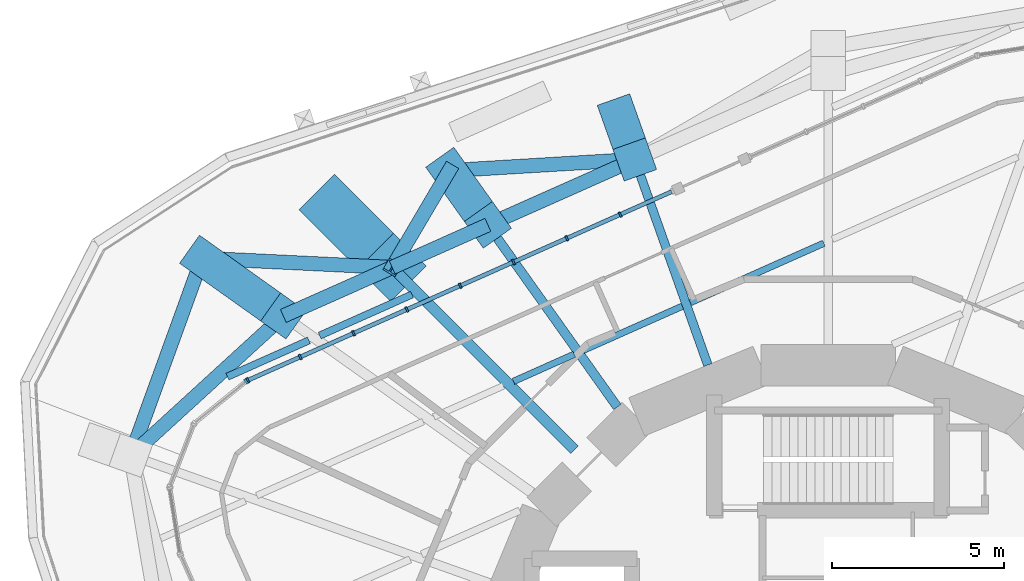
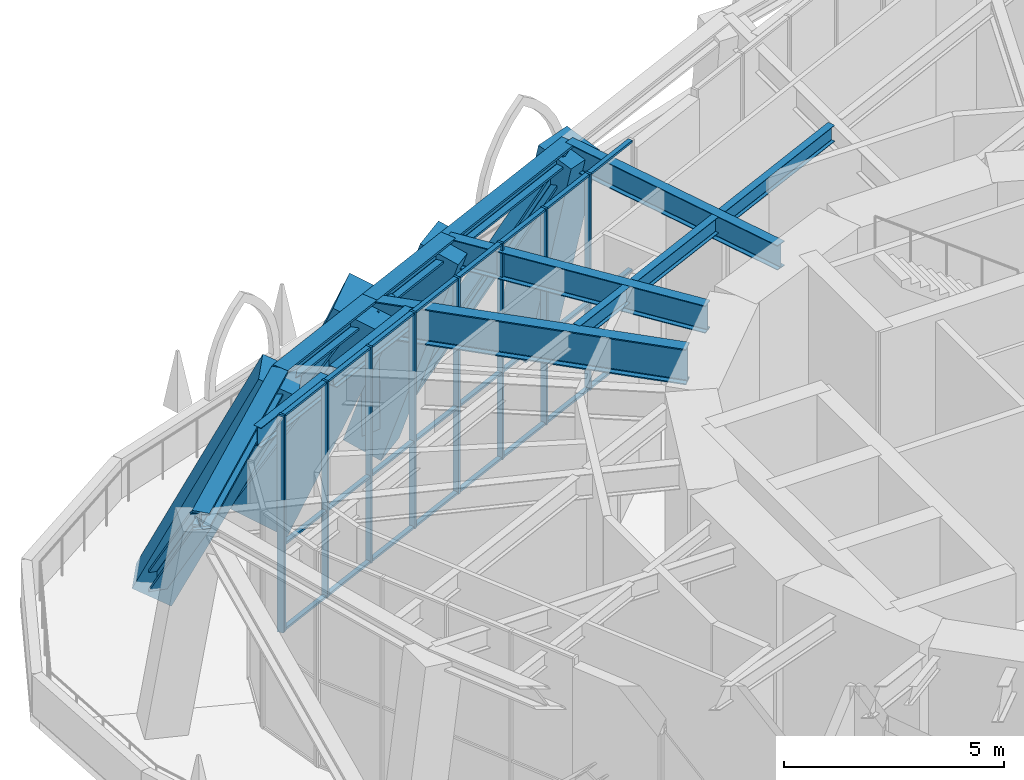
# One storey, part 7 of 18: 45 members, 8 beams, 2 elements without a shape of their own.
"""IFC4 building model written with IfcOpenShell, lengths in metres."""

import ifcopenshell
import ifcopenshell.guid

model = None  # the IFC model being written
_history = None  # IfcOwnerHistory: only IFC2X3 demands one
_inside = {}  # id of a spatial element -> (the spatial element, [elements in it])
_under = {}  # id of a project, library or spatial element -> (it, [spatial elements below it])
_declared = {}  # id of a project -> (the project, [libraries it declares])
_typed = {}  # id of a type object -> (the type object, [elements of that type])
_made_of = {}  # id of a material, layer set ... -> (it, [elements and type objects made of it])


def new_model(schema):
    """Start an empty IFC model of exactly this schema.

    Asked for "IFC4X3", IfcOpenShell would pick the latest addendum, in which some entities
    have other attributes; the version numbers below select the first issue.
    IFC2X3 requires an IfcOwnerHistory on every rooted entity: one is made here for all.
    """
    global model, _history
    if schema == "IFC4X3":
        model = ifcopenshell.file(schema_version=(4, 3, 0, 0))
    else:
        model = ifcopenshell.file(schema=schema)
    _inside.clear()
    _under.clear()
    _declared.clear()
    _typed.clear()
    _made_of.clear()
    _history = None
    if model.schema == "IFC2X3":
        org = make("IfcOrganization", Name="unknown")
        user = make(
            "IfcPersonAndOrganization",
            ThePerson=make("IfcPerson", FamilyName="unknown"),
            TheOrganization=org,
        )
        app = make(
            "IfcApplication",
            ApplicationDeveloper=org,
            Version="unknown",
            ApplicationFullName="unknown",
            ApplicationIdentifier="unknown",
        )
        _history = make(
            "IfcOwnerHistory",
            OwningUser=user,
            OwningApplication=app,
            ChangeAction="ADDED",
            CreationDate=0,
        )
    return model


def make(cls, **values):
    """One entity of the class cls with the attributes given. An attribute that is None is left unset."""
    return model.create_entity(
        cls, **{name: value for name, value in values.items() if value is not None}
    )


def rooted(cls, **values):
    """An entity with a GlobalId (a new one), such as an element, a storey or a relation."""
    return make(cls, GlobalId=ifcopenshell.guid.new(), OwnerHistory=_history, **values)


def si_unit(unit_type, name, prefix=None):
    """IfcSIUnit, for example si_unit("LENGTHUNIT", "METRE", prefix="MILLI")."""
    return make("IfcSIUnit", UnitType=unit_type, Prefix=prefix, Name=name)


def assignment(units):
    """IfcUnitAssignment: the units of a project."""
    return None if units is None else make("IfcUnitAssignment", Units=units)


def point(xyz):
    """IfcCartesianPoint."""
    return None if xyz is None else make("IfcCartesianPoint", Coordinates=xyz)


def direction(xyz):
    """IfcDirection."""
    return None if xyz is None else make("IfcDirection", DirectionRatios=xyz)


def frame(location, z_axis=None, x_axis=None):
    """IfcAxis2Placement3D, a coordinate frame: its origin and axes. An axis left out is left unset."""
    return make(
        "IfcAxis2Placement3D",
        Location=point(location),
        Axis=direction(z_axis),
        RefDirection=direction(x_axis),
    )


def frame_2d(location, x_axis=None):
    """IfcAxis2Placement2D, a coordinate frame in the plane: its origin and x axis."""
    return make(
        "IfcAxis2Placement2D", Location=point(location), RefDirection=direction(x_axis)
    )


def origin():
    """The frame at (0, 0, 0) with its axes left unset."""
    return frame((0.0, 0.0, 0.0))


def origin_2d():
    """The frame at (0, 0) in the plane with its x axis left unset."""
    return frame_2d((0.0, 0.0))


def place(relative_to, where):
    """IfcLocalPlacement: puts the frame where relative to a parent placement (None: the world)."""
    return make(
        "IfcLocalPlacement", PlacementRelTo=relative_to, RelativePlacement=where
    )


def context(
    kind, dimensions, precision=None, world=None, true_north=None, identifier=None
):
    """IfcGeometricRepresentationContext, for example the 3D "Model" context."""
    return make(
        "IfcGeometricRepresentationContext",
        ContextIdentifier=identifier,
        ContextType=kind,
        CoordinateSpaceDimension=dimensions,
        Precision=precision,
        WorldCoordinateSystem=world,
        TrueNorth=true_north,
    )


def subcontext(parent, identifier, kind, view, scale=None):
    """IfcGeometricRepresentationSubContext, for example "Body" below "Model"."""
    return make(
        "IfcGeometricRepresentationSubContext",
        ContextIdentifier=identifier,
        ContextType=kind,
        ParentContext=parent,
        TargetScale=scale,
        TargetView=view,
    )


def project(units=None, contexts=None):
    """IfcProject with its units and contexts."""
    return rooted(
        "IfcProject",
        Name="project",
        RepresentationContexts=contexts,
        UnitsInContext=assignment(units),
    )


def spatial(cls, under=None, at=None, **own):
    """A site, building, storey or space (cls), placed at a placement, below another one or the project."""
    s = rooted(cls, ObjectPlacement=at, **own)
    if under is not None:
        _under.setdefault(under.id(), (under, []))[1].append(s)
    return s


def profile(cls, at=None, kind="AREA", **sizes):
    """A parametric profile (cls). Its sizes go by their IFC names, for example OverallWidth=200.0."""
    return make(cls, ProfileType=kind, Position=at, **sizes)


def rectangle(**sizes):
    """IfcRectangleProfileDef."""
    return profile("IfcRectangleProfileDef", **sizes)


def i_section(**sizes):
    """IfcIShapeProfileDef."""
    return profile("IfcIShapeProfileDef", **sizes)


def extrude(swept, where, along, depth):
    """IfcExtrudedAreaSolid: the profile swept, set in the frame where, extruded along a direction by depth."""
    return make(
        "IfcExtrudedAreaSolid",
        SweptArea=swept,
        Position=where,
        ExtrudedDirection=direction(along),
        Depth=depth,
    )


def shape(context_of_items, identifier, shape_type, items):
    """IfcShapeRepresentation: the items that make up one representation, for example the "Body"."""
    return make(
        "IfcShapeRepresentation",
        ContextOfItems=context_of_items,
        RepresentationIdentifier=identifier,
        RepresentationType=shape_type,
        Items=items,
    )


def material(Name=None, Category=None):
    """IfcMaterial."""
    return make("IfcMaterial", Name=Name, Category=Category)


def material_profile(
    of_material, cross_section, Name=None, Category=None, Priority=None
):
    """IfcMaterialProfile: a cross section and its material."""
    return make(
        "IfcMaterialProfile",
        Name=Name,
        Material=of_material,
        Profile=cross_section,
        Priority=Priority,
        Category=Category,
    )


def profile_set(profiles, Name=None, composite=None):
    """IfcMaterialProfileSet."""
    return make(
        "IfcMaterialProfileSet",
        Name=Name,
        MaterialProfiles=profiles,
        CompositeProfile=composite,
    )


def made_of(thing, what):
    """Note that an element or type object is made of a material, layer set ...; save() writes the relation."""
    if what is not None:
        _made_of.setdefault(what.id(), (what, []))[1].append(thing)
    return thing


def type_object(cls, material=None, **own):
    """A type object (cls), such as IfcWallType, which elements share."""
    return made_of(rooted(cls, **own), material)


def element(
    cls,
    number,
    at=None,
    inside=None,
    cuts=None,
    type_object=None,
    material=None,
    context=None,
    identifier="Body",
    shape_type=None,
    held_by="IfcProductDefinitionShape",
    body=None,
    shapes=None,
    **own,
):
    """One element of the class cls, such as IfcWall. Its Tag is "e" and its number.

    at: its placement. inside: the storey or other place that contains it. cuts: it is an
    opening in that element (IfcRelVoidsElement). A single representation is given by context,
    identifier, shape_type and body (its items); several are given by shapes. held_by: the class
    of the entity that holds the representations. save() writes the other relations.
    """
    e = rooted(cls, Tag="e%d" % number, ObjectPlacement=at, **own)
    if body is not None:
        shapes = [shape(context, identifier, shape_type, body)]
    if shapes is not None:
        e.Representation = make(held_by, Representations=shapes)
    if inside is not None:
        _inside.setdefault(inside.id(), (inside, []))[1].append(e)
    if cuts is not None:
        rooted(
            "IfcRelVoidsElement", RelatingBuildingElement=cuts, RelatedOpeningElement=e
        )
    if type_object is not None:
        _typed.setdefault(type_object.id(), (type_object, []))[1].append(e)
    return made_of(e, material)


def aggregate(whole, parts):
    """IfcRelAggregates: a whole, such as a stair, and the parts it consists of."""
    return rooted("IfcRelAggregates", RelatingObject=whole, RelatedObjects=parts)


def save(model, path):
    """Write the relations noted so far, then the file.

    IfcRelAggregates (storeys below a building ...), IfcRelContainedInSpatialStructure (elements
    in a storey), IfcRelDefinesByType, IfcRelAssociatesMaterial and IfcRelDeclares: one each for
    every whole, place, type object, material and project.
    """
    for whole, parts in _under.values():
        aggregate(whole, parts)
    for where, things in _inside.values():
        rooted(
            "IfcRelContainedInSpatialStructure",
            RelatedElements=things,
            RelatingStructure=where,
        )
    for kind, things in _typed.values():
        rooted("IfcRelDefinesByType", RelatedObjects=things, RelatingType=kind)
    for what, things in _made_of.values():
        rooted("IfcRelAssociatesMaterial", RelatedObjects=things, RelatingMaterial=what)
    for by, libraries in _declared.values():
        rooted("IfcRelDeclares", RelatingContext=by, RelatedDefinitions=libraries)
    model.write(path)


model = new_model("IFC4")

# Units and contexts
model_context = context("Model", 3, precision=1e-05, world=origin(), true_north=direction((0.0, 1.0)))
body_context = subcontext(model_context, "Body", "Model", "MODEL_VIEW")
ifc_project = project(units=[si_unit("LENGTHUNIT", "METRE"), si_unit("AREAUNIT", "SQUARE_METRE"), si_unit("VOLUMEUNIT", "CUBIC_METRE"), si_unit("PLANEANGLEUNIT", "RADIAN"), si_unit("MASSUNIT", "GRAM", prefix="KILO")], contexts=[model_context])

# Site, building, storey
site_placement = place(None, origin())
site = spatial("IfcSite", under=ifc_project, at=site_placement, CompositionType="ELEMENT")
building_placement = place(site_placement, origin())
building = spatial("IfcBuilding", under=site, at=building_placement, Name="Nakasero Lantern House", CompositionType="ELEMENT")
storey_placement = place(building_placement, frame((0.0, 0.0, 176.449951171875)))
storey = spatial("IfcBuildingStorey", under=building, at=storey_placement, Name="L43", CompositionType="ELEMENT", Elevation=176.449951171875)

# Members
ifc_material_1 = material(Name="Steel S355", Category="steel")
ifc_material_profile_1 = material_profile(ifc_material_1, i_section(OverallWidth=0.412109375, OverallDepth=0.4365234375, WebThickness=0.035888671875, FlangeThickness=0.05810546875, FilletRadius=0.01513671875, at=origin_2d()), Name="UC 356x406x467")
ifc_profile_set_1 = profile_set([ifc_material_profile_1], Name="Steel S355")
member_type_1 = type_object("IfcMemberType", Name="Belt truss chord UC 356x406x467", PredefinedType="CHORD", material=ifc_profile_set_1)
member_1_placement = place(storey_placement, frame((-5.611328125, 15.781982421875, 5.581787109375), z_axis=(-0.913561058639, -0.406701600856, 0.0), x_axis=(0.406701600856, -0.913561058639, 0.0)))
element("IfcMember", 1, at=member_1_placement, inside=storey, type_object=member_type_1, Name="Belt truss top chord T4 B5-C10T", PredefinedType="CHORD", context=body_context, shape_type="SweptSolid", body=[
    extrude(i_section(OverallWidth=0.412109375, OverallDepth=0.4365234375, WebThickness=0.035888671875, FlangeThickness=0.05810546875, FilletRadius=0.01513671875, at=origin_2d()), origin(), (0.0, 0.0, 1.0), 4.66552734375),
])
member_2_placement = place(storey_placement, frame((-9.87353515625, 13.884521484375, 5.581787109375), z_axis=(-0.913556197925, -0.40671251915, 0.0), x_axis=(0.40671251915, -0.913556197925, 0.0)))
element("IfcMember", 2, at=member_2_placement, inside=storey, type_object=member_type_1, Name="Belt truss top chord T4 B5-C11T", PredefinedType="CHORD", context=body_context, shape_type="SweptSolid", body=[
    extrude(i_section(OverallWidth=0.412109375, OverallDepth=0.4365234375, WebThickness=0.035888671875, FlangeThickness=0.05810546875, FilletRadius=0.01513671875, at=origin_2d()), origin(), (0.0, 0.0, 1.0), 3.0380859375),
])
member_3_placement = place(storey_placement, frame((-12.64892578125, 12.64892578125, 5.581787109375), z_axis=(-0.913534832457, -0.406760506795, 0.0), x_axis=(0.406760506795, -0.913534832457, 0.0)))
element("IfcMember", 3, at=member_3_placement, inside=storey, type_object=member_type_1, Name="Belt truss top chord T4 B5-C12T", PredefinedType="CHORD", context=body_context, shape_type="SweptSolid", body=[
    extrude(i_section(OverallWidth=0.412109375, OverallDepth=0.4365234375, WebThickness=0.035888671875, FlangeThickness=0.05810546875, FilletRadius=0.01513671875, at=origin_2d()), origin(), (0.0, 0.0, 1.0), 3.458984375),
])
member_4_placement = place(storey_placement, frame((-15.808837890625, 11.241943359375, 5.581787109375), z_axis=(-0.73802707447, -0.674771099966, 0.0), x_axis=(0.674771099966, -0.73802707447, 0.0)))
element("IfcMember", 4, at=member_4_placement, inside=storey, type_object=member_type_1, Name="Belt truss top chord T4 B5-C13T", PredefinedType="CHORD", context=body_context, shape_type="SweptSolid", body=[
    extrude(i_section(OverallWidth=0.412109375, OverallDepth=0.4365234375, WebThickness=0.035888671875, FlangeThickness=0.05810546875, FilletRadius=0.01513671875, at=origin_2d()), origin(), (0.0, 0.0, 1.0), 5.997802734375),
])
ifc_material_2 = material(Name="Steel S355", Category="steel")
ifc_material_profile_2 = material_profile(ifc_material_2, i_section(OverallWidth=0.412109375, OverallDepth=0.4365234375, WebThickness=0.035888671875, FlangeThickness=0.05810546875, FilletRadius=0.01513671875, at=origin_2d()), Name="UC 356x406x467")
ifc_profile_set_2 = profile_set([ifc_material_profile_2], Name="Steel S355")
member_type_2 = type_object("IfcMemberType", Name="Belt truss diagonal UC 356x406x467", PredefinedType="BRACE", material=ifc_profile_set_2)
member_5_placement = place(storey_placement, frame((-5.611328125, 15.781982421875, 5.581787109375), z_axis=(-0.66720161227, -0.039980645489, -0.743803439472), x_axis=(0.059815589761, -0.998209444566, 0.0)))
element("IfcMember", 5, at=member_5_placement, inside=storey, type_object=member_type_2, Name="Belt truss diagonal T4-10", PredefinedType="BRACE", context=body_context, shape_type="SweptSolid", body=[
    extrude(i_section(OverallWidth=0.412109375, OverallDepth=0.4365234375, WebThickness=0.035888671875, FlangeThickness=0.05810546875, FilletRadius=0.01513671875, at=origin_2d()), origin(), (0.0, 0.0, 1.0), 8.066650390625),
])
member_6_placement = place(storey_placement, frame((-10.993408203125, 15.45947265625, -0.418212890625), z_axis=(-0.242412457526, -0.411539921993, 0.878561946047), x_axis=(0.861631982797, -0.507533571521, 0.0)))
element("IfcMember", 6, at=member_6_placement, inside=storey, type_object=member_type_2, Name="Belt truss diagonal T4-11", PredefinedType="BRACE", context=body_context, shape_type="SweptSolid", body=[
    extrude(i_section(OverallWidth=0.412109375, OverallDepth=0.4365234375, WebThickness=0.035888671875, FlangeThickness=0.05810546875, FilletRadius=0.01513671875, at=origin_2d()), origin(), (0.0, 0.0, 1.0), 6.829345703125),
])
member_7_placement = place(storey_placement, frame((-12.64892578125, 12.64892578125, 5.581787109375), z_axis=(-0.676305146581, 0.032758249817, -0.735892822208), x_axis=(-0.048380364344, -0.998828984534, 0.0)))
element("IfcMember", 7, at=member_7_placement, inside=storey, type_object=member_type_2, Name="Belt truss diagonal T4-12", PredefinedType="BRACE", context=body_context, shape_type="SweptSolid", body=[
    extrude(i_section(OverallWidth=0.412109375, OverallDepth=0.4365234375, WebThickness=0.035888671875, FlangeThickness=0.05810546875, FilletRadius=0.01513671875, at=origin_2d()), origin(), (0.0, 0.0, 1.0), 8.1533203125),
])
member_8_placement = place(storey_placement, frame((-18.1630859375, 12.916015625, -0.418212890625), z_axis=(-0.242496640915, -0.669494142696, 0.702120340142), x_axis=(0.940223769819, -0.340557282505, 0.0)))
element("IfcMember", 8, at=member_8_placement, inside=storey, type_object=member_type_2, Name="Belt truss diagonal T4-13", PredefinedType="BRACE", context=body_context, shape_type="SweptSolid", body=[
    extrude(i_section(OverallWidth=0.412109375, OverallDepth=0.4365234375, WebThickness=0.035888671875, FlangeThickness=0.05810546875, FilletRadius=0.01513671875, at=origin_2d()), origin(), (0.0, 0.0, 1.0), 8.545654296875),
])

# Beams
ifc_material_3 = material(Name="Steel S355", Category="steel")
ifc_material_profile_3 = material_profile(ifc_material_3, i_section(OverallWidth=0.18994140625, OverallDepth=0.453369140625, WebThickness=0.008544921875, FlangeThickness=0.0126953125, FilletRadius=0.01025390625, at=origin_2d()), Name="UB 457x191x67")
ifc_profile_set_3 = profile_set([ifc_material_profile_3], Name="Steel S355")
beam_type_1 = type_object("IfcBeamType", Name="Infill beam UB 457x191x67", PredefinedType="JOIST", material=ifc_profile_set_3)
beam_1_placement = place(storey_placement, frame((-9.131591796875, 9.34375, 5.5732421875), z_axis=(0.913571666005, 0.406677773026, 0.0), x_axis=(-0.406677773026, 0.913571666005, 0.0)))
element("IfcBeam", 9, at=beam_1_placement, inside=storey, type_object=beam_type_1, Name="Infill beam L44 11.4", PredefinedType="JOIST", context=body_context, shape_type="SweptSolid", body=[
    extrude(i_section(OverallWidth=0.18994140625, OverallDepth=0.453369140625, WebThickness=0.008544921875, FlangeThickness=0.0126953125, FilletRadius=0.01025390625, at=origin_2d()), origin(), (0.0, 0.0, 1.0), 1.931884765625),
])
beam_2_placement = place(storey_placement, frame((-7.1181640625, 10.239990234375, 5.5732421875), z_axis=(0.913534058062, 0.406762245988, 0.0), x_axis=(-0.406762245988, 0.913534058062, 0.0)))
element("IfcBeam", 10, at=beam_2_placement, inside=storey, type_object=beam_type_1, Name="Infill beam L44 11.5", PredefinedType="JOIST", context=body_context, shape_type="SweptSolid", body=[
    extrude(i_section(OverallWidth=0.18994140625, OverallDepth=0.453369140625, WebThickness=0.008544921875, FlangeThickness=0.0126953125, FilletRadius=0.01025390625, at=origin_2d()), origin(), (0.0, 0.0, 1.0), 3.158935546875),
])
beam_3_placement = place(storey_placement, frame((-4.0, 11.62841796875, 5.5732421875), z_axis=(0.913547765637, 0.406731459196, 0.0), x_axis=(-0.406731459196, 0.913547765637, 0.0)))
element("IfcBeam", 11, at=beam_3_placement, inside=storey, type_object=beam_type_1, Name="Infill beam L44 11.6", PredefinedType="JOIST", context=body_context, shape_type="SweptSolid", body=[
    extrude(i_section(OverallWidth=0.18994140625, OverallDepth=0.453369140625, WebThickness=0.008544921875, FlangeThickness=0.0126953125, FilletRadius=0.01025390625, at=origin_2d()), origin(), (0.0, 0.0, 1.0), 4.239501953125),
])
ifc_material_4 = material(Name="Steel S355", Category="steel")
ifc_material_profile_4 = material_profile(ifc_material_4, i_section(OverallWidth=0.2099609375, OverallDepth=0.53662109375, WebThickness=0.0107421875, FlangeThickness=0.017333984375, FilletRadius=0.0126953125, at=origin_2d()), Name="UB 533x210x101")
ifc_profile_set_4 = profile_set([ifc_material_profile_4], Name="Steel S355")
beam_type_2 = type_object("IfcBeamType", Name="Infill beam UB 533x210x101", PredefinedType="JOIST", material=ifc_profile_set_4)
beam_4_placement = place(storey_placement, frame((-17.4306640625, 9.47998046875, 5.53173828125), z_axis=(0.913570367557, 0.406680689881, 0.0), x_axis=(-0.406680689881, 0.913570367557, 0.0)))
element("IfcBeam", 12, at=beam_4_placement, inside=storey, type_object=beam_type_2, Name="Infill beam L44 12.1", PredefinedType="JOIST", context=body_context, shape_type="SweptSolid", body=[
    extrude(i_section(OverallWidth=0.2099609375, OverallDepth=0.53662109375, WebThickness=0.0107421875, FlangeThickness=0.017333984375, FilletRadius=0.0126953125, at=origin_2d()), origin(), (0.0, 0.0, 1.0), 2.58984375),
])
beam_5_placement = place(storey_placement, frame((-14.75439453125, 10.67138671875, 5.53173828125), z_axis=(0.913519423207, 0.40679511234, 0.0), x_axis=(-0.40679511234, 0.913519423207, 0.0)))
element("IfcBeam", 13, at=beam_5_placement, inside=storey, type_object=beam_type_2, Name="Infill beam L44 12.2", PredefinedType="JOIST", context=body_context, shape_type="SweptSolid", body=[
    extrude(i_section(OverallWidth=0.2099609375, OverallDepth=0.53662109375, WebThickness=0.0107421875, FlangeThickness=0.017333984375, FilletRadius=0.0126953125, at=origin_2d()), origin(), (0.0, 0.0, 1.0), 2.931884765625),
])

# Curtain wall, members
ifc_material_5 = material(Name="Aluminium 6063-T6 and glass", Category="aluminium")
curtain_wall_type = type_object("IfcCurtainWallType", Name="Sky lounge glazing CW-3", PredefinedType="USERDEFINED", material=ifc_material_5)
curtain_wall_1_placement = place(storey_placement, origin())
curtain_wall_1 = element("IfcCurtainWall", 14, at=curtain_wall_1_placement, inside=storey, type_object=curtain_wall_type, Name="Curtain wall CW-3 L43", ObjectType="STICK CURTAIN WALL", PredefinedType="USERDEFINED")
ifc_material_6 = material(Name="Aluminium 6063-T6", Category="aluminium")
ifc_material_profile_5 = material_profile(ifc_material_6, rectangle(XDim=0.06005859375, YDim=0.159912109375, at=origin_2d()), Name="CW-3 mullion 60x160")
ifc_profile_set_5 = profile_set([ifc_material_profile_5], Name="Aluminium 6063-T6")
member_type_3 = type_object("IfcMemberType", Name="Mullion CW-3", PredefinedType="MULLION", material=ifc_profile_set_5)
member_9_placement = place(storey_placement, frame((-6.034912109375, 14.184814453125, 0.0), z_axis=(0.0, 0.0, 1.0), x_axis=(-0.913545457643, -0.406736643076, 0.0)))
member_9 = element("IfcMember", 15, at=member_9_placement, type_object=member_type_3, Name="CW-3 mullion 2", PredefinedType="MULLION", context=body_context, shape_type="SweptSolid", body=[
    extrude(rectangle(XDim=0.06005859375, YDim=0.159912109375, at=origin_2d()), origin(), (0.0, 0.0, 1.0), 6.0),
])
member_10_placement = place(storey_placement, frame((-7.582275390625, 13.495849609375, 0.0), z_axis=(0.0, 0.0, 1.0), x_axis=(-0.913545457643, -0.406736643076, 0.0)))
member_10 = element("IfcMember", 16, at=member_10_placement, type_object=member_type_3, Name="CW-3 mullion 3", PredefinedType="MULLION", context=body_context, shape_type="SweptSolid", body=[
    extrude(rectangle(XDim=0.06005859375, YDim=0.159912109375, at=origin_2d()), origin(), (0.0, 0.0, 1.0), 6.0),
])
member_11_placement = place(storey_placement, frame((-9.129638671875, 12.806884765625, 0.0), z_axis=(0.0, 0.0, 1.0), x_axis=(-0.913545457643, -0.406736643076, 0.0)))
member_11 = element("IfcMember", 17, at=member_11_placement, type_object=member_type_3, Name="CW-3 mullion 4", PredefinedType="MULLION", context=body_context, shape_type="SweptSolid", body=[
    extrude(rectangle(XDim=0.06005859375, YDim=0.159912109375, at=origin_2d()), origin(), (0.0, 0.0, 1.0), 6.0),
])
member_12_placement = place(storey_placement, frame((-10.677001953125, 12.117919921875, 0.0), z_axis=(0.0, 0.0, 1.0), x_axis=(-0.913545457643, -0.406736643076, 0.0)))
member_12 = element("IfcMember", 18, at=member_12_placement, type_object=member_type_3, Name="CW-3 mullion 5", PredefinedType="MULLION", context=body_context, shape_type="SweptSolid", body=[
    extrude(rectangle(XDim=0.06005859375, YDim=0.159912109375, at=origin_2d()), origin(), (0.0, 0.0, 1.0), 6.0),
])
member_13_placement = place(storey_placement, frame((-12.22412109375, 11.428955078125, 0.0), z_axis=(0.0, 0.0, 1.0), x_axis=(-0.913545457643, -0.406736643076, 0.0)))
member_13 = element("IfcMember", 19, at=member_13_placement, type_object=member_type_3, Name="CW-3 mullion 6", PredefinedType="MULLION", context=body_context, shape_type="SweptSolid", body=[
    extrude(rectangle(XDim=0.06005859375, YDim=0.159912109375, at=origin_2d()), origin(), (0.0, 0.0, 1.0), 6.0),
])
member_14_placement = place(storey_placement, frame((-13.771484375, 10.740234375, 0.0), z_axis=(0.0, 0.0, 1.0), x_axis=(-0.913545457643, -0.406736643076, 0.0)))
member_14 = element("IfcMember", 20, at=member_14_placement, type_object=member_type_3, Name="CW-3 mullion 7", PredefinedType="MULLION", context=body_context, shape_type="SweptSolid", body=[
    extrude(rectangle(XDim=0.06005859375, YDim=0.159912109375, at=origin_2d()), origin(), (0.0, 0.0, 1.0), 6.0),
])
member_15_placement = place(storey_placement, frame((-15.31884765625, 10.05126953125, 0.0), z_axis=(0.0, 0.0, 1.0), x_axis=(-0.913545457643, -0.406736643076, 0.0)))
member_15 = element("IfcMember", 21, at=member_15_placement, type_object=member_type_3, Name="CW-3 mullion 8", PredefinedType="MULLION", context=body_context, shape_type="SweptSolid", body=[
    extrude(rectangle(XDim=0.06005859375, YDim=0.159912109375, at=origin_2d()), origin(), (0.0, 0.0, 1.0), 6.0),
])
member_16_placement = place(storey_placement, frame((-16.8388671875, 9.37451171875, 0.0), z_axis=(0.0, 0.0, 1.0), x_axis=(-0.913545457643, -0.406736643076, 0.0)))
member_16 = element("IfcMember", 22, at=member_16_placement, type_object=member_type_3, Name="CW-3 mullion 9", PredefinedType="MULLION", context=body_context, shape_type="SweptSolid", body=[
    extrude(rectangle(XDim=0.06005859375, YDim=0.159912109375, at=origin_2d()), origin(), (0.0, 0.0, 1.0), 6.0),
])

# Curtain wall, member
curtain_wall_2_placement = place(storey_placement, origin())
curtain_wall_2 = element("IfcCurtainWall", 23, at=curtain_wall_2_placement, inside=storey, type_object=curtain_wall_type, Name="Curtain wall CW-3 L43", ObjectType="STICK CURTAIN WALL", PredefinedType="USERDEFINED")
member_17_placement = place(storey_placement, frame((-16.889404296875, 9.343505859375, 0.0), z_axis=(0.0, 0.0, 1.0), x_axis=(-0.777145961457, -0.62932039105, 0.0)))
member_17 = element("IfcMember", 24, at=member_17_placement, type_object=member_type_3, Name="CW-3 mullion 1", PredefinedType="MULLION", context=body_context, shape_type="SweptSolid", body=[
    extrude(rectangle(XDim=0.06005859375, YDim=0.159912109375, at=origin_2d()), origin(), (0.0, 0.0, 1.0), 6.0),
])
aggregate(curtain_wall_2, [member_17])

# Beams
ifc_material_7 = material(Name="Steel S355", Category="steel")
ifc_material_profile_6 = material_profile(ifc_material_7, i_section(OverallWidth=0.300048828125, OverallDepth=0.989990234375, WebThickness=0.0166015625, FlangeThickness=0.031005859375, FilletRadius=0.030029296875, at=origin_2d()), Name="UB 1016x305x272")
ifc_profile_set_6 = profile_set([ifc_material_profile_6], Name="Steel S355")
beam_type_3 = type_object("IfcBeamType", Name="Primary beam UB 1016x305x272, span 6 to 9 m", PredefinedType="BEAM", material=ifc_profile_set_6)
beam_6_placement = place(storey_placement, frame((-12.64892578125, 12.64892578125, 5.304931640625), z_axis=(0.707106781187, -0.707106781187, 0.0), x_axis=(0.707106781187, 0.707106781187, 0.0)))
element("IfcBeam", 25, at=beam_6_placement, inside=storey, type_object=beam_type_3, Name="Primary beam L44 B5-C12T", PredefinedType="BEAM", context=body_context, shape_type="SweptSolid", body=[
    extrude(i_section(OverallWidth=0.300048828125, OverallDepth=0.989990234375, WebThickness=0.0166015625, FlangeThickness=0.031005859375, FilletRadius=0.030029296875, at=origin_2d()), origin(), (0.0, 0.0, 1.0), 7.48046875),
])
ifc_material_8 = material(Name="Steel S355", Category="steel")
ifc_material_profile_7 = material_profile(ifc_material_8, i_section(OverallWidth=0.253662109375, OverallDepth=0.68359375, WebThickness=0.012451171875, FlangeThickness=0.01904296875, FilletRadius=0.01513671875, at=origin_2d()), Name="UB 686x254x140")
ifc_profile_set_7 = profile_set([ifc_material_profile_7], Name="Steel S355")
beam_type_4 = type_object("IfcBeamType", Name="Primary beam UB 686x254x140, span 6 to 9 m", PredefinedType="BEAM", material=ifc_profile_set_7)
beam_7_placement = place(storey_placement, frame((-5.611328125, 15.781982421875, 5.458251953125), z_axis=(0.335018800731, -0.942211442913, 0.0), x_axis=(0.942211442913, 0.335018800731, 0.0)))
element("IfcBeam", 26, at=beam_7_placement, inside=storey, type_object=beam_type_4, Name="Primary beam L44 B5-C10T", PredefinedType="BEAM", context=body_context, shape_type="SweptSolid", body=[
    extrude(i_section(OverallWidth=0.253662109375, OverallDepth=0.68359375, WebThickness=0.012451171875, FlangeThickness=0.01904296875, FilletRadius=0.01513671875, at=origin_2d()), origin(), (0.0, 0.0, 1.0), 6.328369140625),
])
ifc_material_9 = material(Name="Steel S355", Category="steel")
ifc_material_profile_8 = material_profile(ifc_material_9, i_section(OverallWidth=0.2666015625, OverallDepth=0.76220703125, WebThickness=0.014404296875, FlangeThickness=0.021484375, FilletRadius=0.0166015625, at=origin_2d()), Name="UB 762x267x173")
ifc_profile_set_8 = profile_set([ifc_material_profile_8], Name="Steel S355")
beam_type_5 = type_object("IfcBeamType", Name="Primary beam UB 762x267x173, span 6 to 9 m", PredefinedType="BEAM", material=ifc_profile_set_8)
beam_8_placement = place(storey_placement, frame((-9.87353515625, 13.884521484375, 5.4189453125), z_axis=(0.57954101868, -0.8149430702, 0.0), x_axis=(0.8149430702, 0.57954101868, 0.0)))
element("IfcBeam", 27, at=beam_8_placement, inside=storey, type_object=beam_type_5, Name="Primary beam L44 B5-C11T", PredefinedType="BEAM", context=body_context, shape_type="SweptSolid", body=[
    extrude(i_section(OverallWidth=0.2666015625, OverallDepth=0.76220703125, WebThickness=0.014404296875, FlangeThickness=0.021484375, FilletRadius=0.0166015625, at=origin_2d()), origin(), (0.0, 0.0, 1.0), 6.48193359375),
])

# Members
ifc_material_10 = material(Name="Concrete C50/60", Category="concrete")
ifc_material_profile_9 = material_profile(ifc_material_10, rectangle(XDim=1.0, YDim=1.0, at=origin_2d()), Name="RC 1000x1000")
ifc_profile_set_9 = profile_set([ifc_material_profile_9], Name="Concrete C50/60")
member_type_4 = type_object("IfcMemberType", Name="Raking column RC 1000x1000 C50/60", PredefinedType="STRUT", material=ifc_profile_set_9)
member_18_placement = place(storey_placement, frame((-6.06591796875, 17.060546875, -0.418212890625), z_axis=(0.073898606932, -0.207844792965, 0.975366360877), x_axis=(0.942217214275, 0.335002568833, 0.0)))
element("IfcMember", 28, at=member_18_placement, inside=storey, type_object=member_type_4, Name="Raking column B5-C10T L43", PredefinedType="STRUT", context=body_context, shape_type="SweptSolid", body=[
    extrude(rectangle(XDim=1.0, YDim=1.0, at=origin_2d()), origin(), (0.0, 0.0, 1.0), 6.151611328125),
])
member_19_placement = place(storey_placement, frame((-10.993408203125, 15.45947265625, -0.418212890625), z_axis=(0.177657866113, -0.249851949923, 0.951846461215), x_axis=(0.814977864281, 0.579492088584, 0.0)))
element("IfcMember", 29, at=member_19_placement, inside=storey, type_object=member_type_4, Name="Raking column B5-C11T L43", PredefinedType="STRUT", context=body_context, shape_type="SweptSolid", body=[
    extrude(rectangle(XDim=1.0, YDim=1.0, at=origin_2d()), origin(), (0.0, 0.0, 1.0), 6.303466796875),
])
member_20_placement = place(storey_placement, frame((-18.1630859375, 12.916015625, -0.418212890625), z_axis=(0.353532936259, -0.251392237263, 0.901008549362), x_axis=(0.57951006563, 0.814965081358, 0.0)))
element("IfcMember", 30, at=member_20_placement, inside=storey, type_object=member_type_4, Name="Raking column B5-C13T L43", PredefinedType="STRUT", context=body_context, shape_type="SweptSolid", body=[
    extrude(rectangle(XDim=1.0, YDim=1.0, at=origin_2d()), origin(), (0.0, 0.0, 1.0), 6.6591796875),
])
ifc_material_11 = material(Name="Concrete C50/60", Category="concrete")
ifc_material_profile_10 = material_profile(ifc_material_11, rectangle(XDim=1.449951171875, YDim=1.449951171875, at=origin_2d()), Name="RC 1450x1450")
ifc_profile_set_10 = profile_set([ifc_material_profile_10], Name="Concrete C50/60")
member_type_5 = type_object("IfcMemberType", Name="Raking column RC 1450x1450 C50/60", PredefinedType="STRUT", material=ifc_profile_set_10)
member_21_placement = place(storey_placement, frame((-14.3642578125, 14.3642578125, -0.418212890625), z_axis=(0.265045446848, -0.265045446848, 0.927093211177), x_axis=(0.707106781187, 0.707106781187, 0.0)))
element("IfcMember", 31, at=member_21_placement, inside=storey, type_object=member_type_5, Name="Raking column B5-C12T L43", PredefinedType="STRUT", context=body_context, shape_type="SweptSolid", body=[
    extrude(rectangle(XDim=1.449951171875, YDim=1.449951171875, at=origin_2d()), origin(), (0.0, 0.0, 1.0), 6.471923828125),
])

# Member
ifc_material_12 = material(Name="Aluminium 6063-T6", Category="aluminium")
ifc_material_profile_11 = material_profile(ifc_material_12, rectangle(XDim=0.06005859375, YDim=0.1201171875, at=origin_2d()), Name="CW-3 transom 60x120")
ifc_profile_set_11 = profile_set([ifc_material_profile_11], Name="Aluminium 6063-T6")
member_type_6 = type_object("IfcMemberType", Name="Transom CW-3", PredefinedType="USERDEFINED", material=ifc_profile_set_11)
member_22_placement = place(storey_placement, frame((-4.54248046875, 14.84912109375, 0.030029296875), z_axis=(-0.913591687182, -0.406632793945, 0.0), x_axis=(0.0, 0.0, 1.0)))
member_22 = element("IfcMember", 32, at=member_22_placement, type_object=member_type_6, Name="CW-3 transom 1.1", ObjectType="TRANSOM", PredefinedType="USERDEFINED", context=body_context, shape_type="SweptSolid", body=[
    extrude(rectangle(XDim=0.06005859375, YDim=0.1201171875, at=origin_2d()), origin(), (0.0, 0.0, 1.0), 1.603759765625),
])

member_23_placement = place(storey_placement, frame((-4.54248046875, 14.84912109375, 2.400146484375), z_axis=(-0.913591687182, -0.406632793945, 0.0), x_axis=(0.0, 0.0, 1.0)))
member_23 = element("IfcMember", 33, at=member_23_placement, type_object=member_type_6, Name="CW-3 transom 1.2", ObjectType="TRANSOM", PredefinedType="USERDEFINED", context=body_context, shape_type="SweptSolid", body=[
    extrude(rectangle(XDim=0.06005859375, YDim=0.1201171875, at=origin_2d()), origin(), (0.0, 0.0, 1.0), 1.603759765625),
])

member_24_placement = place(storey_placement, frame((-4.54248046875, 14.84912109375, 5.969970703125), z_axis=(-0.913591687182, -0.406632793945, 0.0), x_axis=(0.0, 0.0, 1.0)))
member_24 = element("IfcMember", 34, at=member_24_placement, type_object=member_type_6, Name="CW-3 transom 1.3", ObjectType="TRANSOM", PredefinedType="USERDEFINED", context=body_context, shape_type="SweptSolid", body=[
    extrude(rectangle(XDim=0.06005859375, YDim=0.1201171875, at=origin_2d()), origin(), (0.0, 0.0, 1.0), 1.603759765625),
])

member_25_placement = place(storey_placement, frame((-6.062255859375, 14.172607421875, 0.030029296875), z_axis=(-0.913552574201, -0.406720658648, 0.0), x_axis=(0.0, 0.0, 1.0)))
member_25 = element("IfcMember", 35, at=member_25_placement, type_object=member_type_6, Name="CW-3 transom 2.1", ObjectType="TRANSOM", PredefinedType="USERDEFINED", context=body_context, shape_type="SweptSolid", body=[
    extrude(rectangle(XDim=0.06005859375, YDim=0.1201171875, at=origin_2d()), origin(), (0.0, 0.0, 1.0), 1.634033203125),
])

member_26_placement = place(storey_placement, frame((-6.062255859375, 14.172607421875, 2.400146484375), z_axis=(-0.913552574201, -0.406720658648, 0.0), x_axis=(0.0, 0.0, 1.0)))
member_26 = element("IfcMember", 36, at=member_26_placement, type_object=member_type_6, Name="CW-3 transom 2.2", ObjectType="TRANSOM", PredefinedType="USERDEFINED", context=body_context, shape_type="SweptSolid", body=[
    extrude(rectangle(XDim=0.06005859375, YDim=0.1201171875, at=origin_2d()), origin(), (0.0, 0.0, 1.0), 1.634033203125),
])

member_27_placement = place(storey_placement, frame((-6.062255859375, 14.172607421875, 5.969970703125), z_axis=(-0.913552574201, -0.406720658648, 0.0), x_axis=(0.0, 0.0, 1.0)))
member_27 = element("IfcMember", 37, at=member_27_placement, type_object=member_type_6, Name="CW-3 transom 2.3", ObjectType="TRANSOM", PredefinedType="USERDEFINED", context=body_context, shape_type="SweptSolid", body=[
    extrude(rectangle(XDim=0.06005859375, YDim=0.1201171875, at=origin_2d()), origin(), (0.0, 0.0, 1.0), 1.634033203125),
])

member_28_placement = place(storey_placement, frame((-7.609619140625, 13.483642578125, 0.030029296875), z_axis=(-0.913527851865, -0.406776183997, 0.0), x_axis=(0.0, 0.0, 1.0)))
member_28 = element("IfcMember", 38, at=member_28_placement, type_object=member_type_6, Name="CW-3 transom 3.1", ObjectType="TRANSOM", PredefinedType="USERDEFINED", context=body_context, shape_type="SweptSolid", body=[
    extrude(rectangle(XDim=0.06005859375, YDim=0.1201171875, at=origin_2d()), origin(), (0.0, 0.0, 1.0), 1.6337890625),
])

member_29_placement = place(storey_placement, frame((-7.609619140625, 13.483642578125, 2.400146484375), z_axis=(-0.913527851865, -0.406776183997, 0.0), x_axis=(0.0, 0.0, 1.0)))
member_29 = element("IfcMember", 39, at=member_29_placement, type_object=member_type_6, Name="CW-3 transom 3.2", ObjectType="TRANSOM", PredefinedType="USERDEFINED", context=body_context, shape_type="SweptSolid", body=[
    extrude(rectangle(XDim=0.06005859375, YDim=0.1201171875, at=origin_2d()), origin(), (0.0, 0.0, 1.0), 1.6337890625),
])

member_30_placement = place(storey_placement, frame((-7.609619140625, 13.483642578125, 5.969970703125), z_axis=(-0.913527851865, -0.406776183997, 0.0), x_axis=(0.0, 0.0, 1.0)))
member_30 = element("IfcMember", 40, at=member_30_placement, type_object=member_type_6, Name="CW-3 transom 3.3", ObjectType="TRANSOM", PredefinedType="USERDEFINED", context=body_context, shape_type="SweptSolid", body=[
    extrude(rectangle(XDim=0.06005859375, YDim=0.1201171875, at=origin_2d()), origin(), (0.0, 0.0, 1.0), 1.6337890625),
])

member_31_placement = place(storey_placement, frame((-9.156982421875, 12.794677734375, 0.030029296875), z_axis=(-0.913527851865, -0.406776183997, 0.0), x_axis=(0.0, 0.0, 1.0)))
member_31 = element("IfcMember", 41, at=member_31_placement, type_object=member_type_6, Name="CW-3 transom 4.1", ObjectType="TRANSOM", PredefinedType="USERDEFINED", context=body_context, shape_type="SweptSolid", body=[
    extrude(rectangle(XDim=0.06005859375, YDim=0.1201171875, at=origin_2d()), origin(), (0.0, 0.0, 1.0), 1.6337890625),
])

member_32_placement = place(storey_placement, frame((-9.156982421875, 12.794677734375, 2.400146484375), z_axis=(-0.913527851865, -0.406776183997, 0.0), x_axis=(0.0, 0.0, 1.0)))
member_32 = element("IfcMember", 42, at=member_32_placement, type_object=member_type_6, Name="CW-3 transom 4.2", ObjectType="TRANSOM", PredefinedType="USERDEFINED", context=body_context, shape_type="SweptSolid", body=[
    extrude(rectangle(XDim=0.06005859375, YDim=0.1201171875, at=origin_2d()), origin(), (0.0, 0.0, 1.0), 1.6337890625),
])

member_33_placement = place(storey_placement, frame((-9.156982421875, 12.794677734375, 5.969970703125), z_axis=(-0.913527851865, -0.406776183997, 0.0), x_axis=(0.0, 0.0, 1.0)))
member_33 = element("IfcMember", 43, at=member_33_placement, type_object=member_type_6, Name="CW-3 transom 4.3", ObjectType="TRANSOM", PredefinedType="USERDEFINED", context=body_context, shape_type="SweptSolid", body=[
    extrude(rectangle(XDim=0.06005859375, YDim=0.1201171875, at=origin_2d()), origin(), (0.0, 0.0, 1.0), 1.6337890625),
])

member_34_placement = place(storey_placement, frame((-10.704345703125, 12.105712890625, 0.030029296875), z_axis=(-0.913527851865, -0.406776183997, 0.0), x_axis=(0.0, 0.0, 1.0)))
member_34 = element("IfcMember", 44, at=member_34_placement, type_object=member_type_6, Name="CW-3 transom 5.1", ObjectType="TRANSOM", PredefinedType="USERDEFINED", context=body_context, shape_type="SweptSolid", body=[
    extrude(rectangle(XDim=0.06005859375, YDim=0.1201171875, at=origin_2d()), origin(), (0.0, 0.0, 1.0), 1.6337890625),
])

member_35_placement = place(storey_placement, frame((-10.704345703125, 12.105712890625, 2.400146484375), z_axis=(-0.913527851865, -0.406776183997, 0.0), x_axis=(0.0, 0.0, 1.0)))
member_35 = element("IfcMember", 45, at=member_35_placement, type_object=member_type_6, Name="CW-3 transom 5.2", ObjectType="TRANSOM", PredefinedType="USERDEFINED", context=body_context, shape_type="SweptSolid", body=[
    extrude(rectangle(XDim=0.06005859375, YDim=0.1201171875, at=origin_2d()), origin(), (0.0, 0.0, 1.0), 1.6337890625),
])

member_36_placement = place(storey_placement, frame((-10.704345703125, 12.105712890625, 5.969970703125), z_axis=(-0.913527851865, -0.406776183997, 0.0), x_axis=(0.0, 0.0, 1.0)))
member_36 = element("IfcMember", 46, at=member_36_placement, type_object=member_type_6, Name="CW-3 transom 5.3", ObjectType="TRANSOM", PredefinedType="USERDEFINED", context=body_context, shape_type="SweptSolid", body=[
    extrude(rectangle(XDim=0.06005859375, YDim=0.1201171875, at=origin_2d()), origin(), (0.0, 0.0, 1.0), 1.6337890625),
])

member_37_placement = place(storey_placement, frame((-12.251708984375, 11.416748046875, 0.030029296875), z_axis=(-0.913583378904, -0.40665145984, 0.0), x_axis=(0.0, 0.0, 1.0)))
member_37 = element("IfcMember", 47, at=member_37_placement, type_object=member_type_6, Name="CW-3 transom 6.1", ObjectType="TRANSOM", PredefinedType="USERDEFINED", context=body_context, shape_type="SweptSolid", body=[
    extrude(rectangle(XDim=0.06005859375, YDim=0.1201171875, at=origin_2d()), origin(), (0.0, 0.0, 1.0), 1.633544921875),
])

member_38_placement = place(storey_placement, frame((-12.251708984375, 11.416748046875, 2.400146484375), z_axis=(-0.913583378904, -0.40665145984, 0.0), x_axis=(0.0, 0.0, 1.0)))
member_38 = element("IfcMember", 48, at=member_38_placement, type_object=member_type_6, Name="CW-3 transom 6.2", ObjectType="TRANSOM", PredefinedType="USERDEFINED", context=body_context, shape_type="SweptSolid", body=[
    extrude(rectangle(XDim=0.06005859375, YDim=0.1201171875, at=origin_2d()), origin(), (0.0, 0.0, 1.0), 1.633544921875),
])

member_39_placement = place(storey_placement, frame((-12.251708984375, 11.416748046875, 5.969970703125), z_axis=(-0.913583378904, -0.40665145984, 0.0), x_axis=(0.0, 0.0, 1.0)))
member_39 = element("IfcMember", 49, at=member_39_placement, type_object=member_type_6, Name="CW-3 transom 6.3", ObjectType="TRANSOM", PredefinedType="USERDEFINED", context=body_context, shape_type="SweptSolid", body=[
    extrude(rectangle(XDim=0.06005859375, YDim=0.1201171875, at=origin_2d()), origin(), (0.0, 0.0, 1.0), 1.633544921875),
])

member_40_placement = place(storey_placement, frame((-13.798828125, 10.72802734375, 0.030029296875), z_axis=(-0.913552574201, -0.406720658648, 0.0), x_axis=(0.0, 0.0, 1.0)))
member_40 = element("IfcMember", 50, at=member_40_placement, type_object=member_type_6, Name="CW-3 transom 7.1", ObjectType="TRANSOM", PredefinedType="USERDEFINED", context=body_context, shape_type="SweptSolid", body=[
    extrude(rectangle(XDim=0.06005859375, YDim=0.1201171875, at=origin_2d()), origin(), (0.0, 0.0, 1.0), 1.634033203125),
])

member_41_placement = place(storey_placement, frame((-13.798828125, 10.72802734375, 2.400146484375), z_axis=(-0.913552574201, -0.406720658648, 0.0), x_axis=(0.0, 0.0, 1.0)))
member_41 = element("IfcMember", 51, at=member_41_placement, type_object=member_type_6, Name="CW-3 transom 7.2", ObjectType="TRANSOM", PredefinedType="USERDEFINED", context=body_context, shape_type="SweptSolid", body=[
    extrude(rectangle(XDim=0.06005859375, YDim=0.1201171875, at=origin_2d()), origin(), (0.0, 0.0, 1.0), 1.634033203125),
])

member_42_placement = place(storey_placement, frame((-13.798828125, 10.72802734375, 5.969970703125), z_axis=(-0.913552574201, -0.406720658648, 0.0), x_axis=(0.0, 0.0, 1.0)))
member_42 = element("IfcMember", 52, at=member_42_placement, type_object=member_type_6, Name="CW-3 transom 7.3", ObjectType="TRANSOM", PredefinedType="USERDEFINED", context=body_context, shape_type="SweptSolid", body=[
    extrude(rectangle(XDim=0.06005859375, YDim=0.1201171875, at=origin_2d()), origin(), (0.0, 0.0, 1.0), 1.634033203125),
])

member_43_placement = place(storey_placement, frame((-15.34619140625, 10.0390625, 0.030029296875), z_axis=(-0.91353512528, -0.40675984915, 0.0), x_axis=(0.0, 0.0, 1.0)))
member_43 = element("IfcMember", 53, at=member_43_placement, type_object=member_type_6, Name="CW-3 transom 8.1", ObjectType="TRANSOM", PredefinedType="USERDEFINED", context=body_context, shape_type="SweptSolid", body=[
    extrude(rectangle(XDim=0.06005859375, YDim=0.1201171875, at=origin_2d()), origin(), (0.0, 0.0, 1.0), 1.603759765625),
])

member_44_placement = place(storey_placement, frame((-15.34619140625, 10.0390625, 2.400146484375), z_axis=(-0.91353512528, -0.40675984915, 0.0), x_axis=(0.0, 0.0, 1.0)))
member_44 = element("IfcMember", 54, at=member_44_placement, type_object=member_type_6, Name="CW-3 transom 8.2", ObjectType="TRANSOM", PredefinedType="USERDEFINED", context=body_context, shape_type="SweptSolid", body=[
    extrude(rectangle(XDim=0.06005859375, YDim=0.1201171875, at=origin_2d()), origin(), (0.0, 0.0, 1.0), 1.603759765625),
])

member_45_placement = place(storey_placement, frame((-15.34619140625, 10.0390625, 5.969970703125), z_axis=(-0.91353512528, -0.40675984915, 0.0), x_axis=(0.0, 0.0, 1.0)))
member_45 = element("IfcMember", 55, at=member_45_placement, type_object=member_type_6, Name="CW-3 transom 8.3", ObjectType="TRANSOM", PredefinedType="USERDEFINED", context=body_context, shape_type="SweptSolid", body=[
    extrude(rectangle(XDim=0.06005859375, YDim=0.1201171875, at=origin_2d()), origin(), (0.0, 0.0, 1.0), 1.603759765625),
])

aggregate(curtain_wall_1, [member_9, member_10, member_11, member_12, member_13, member_14, member_15, member_16, member_22, member_23, member_24, member_25, member_26, member_27, member_28, member_29, member_30, member_31, member_32, member_33, member_34, member_35, member_36, member_37, member_38, member_39, member_40, member_41, member_42, member_43, member_44, member_45])

save(model, "model.ifc")
